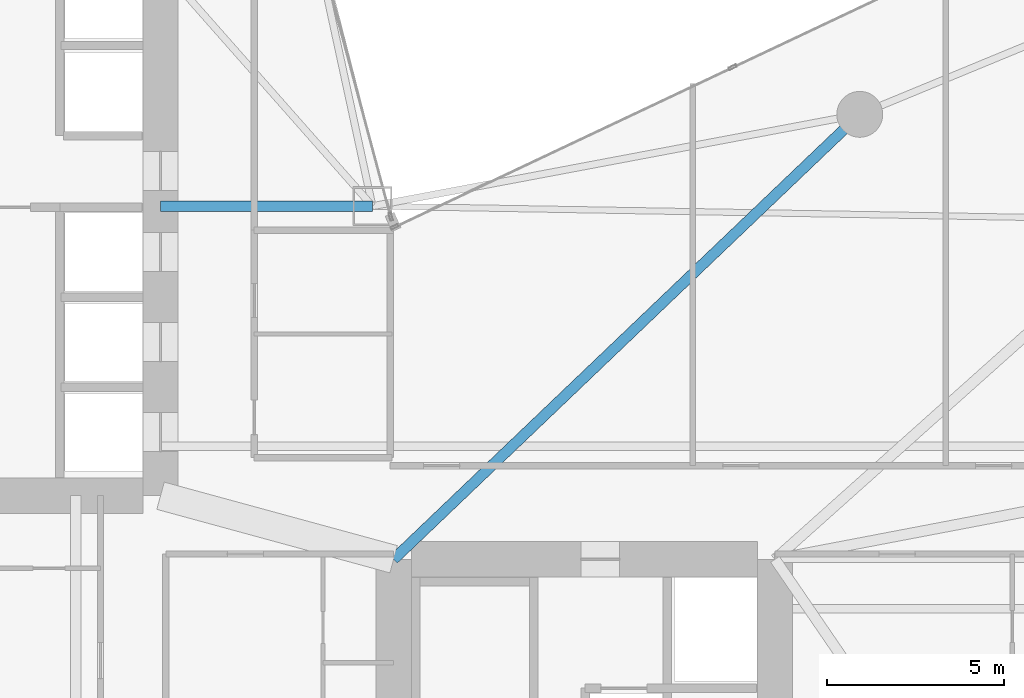
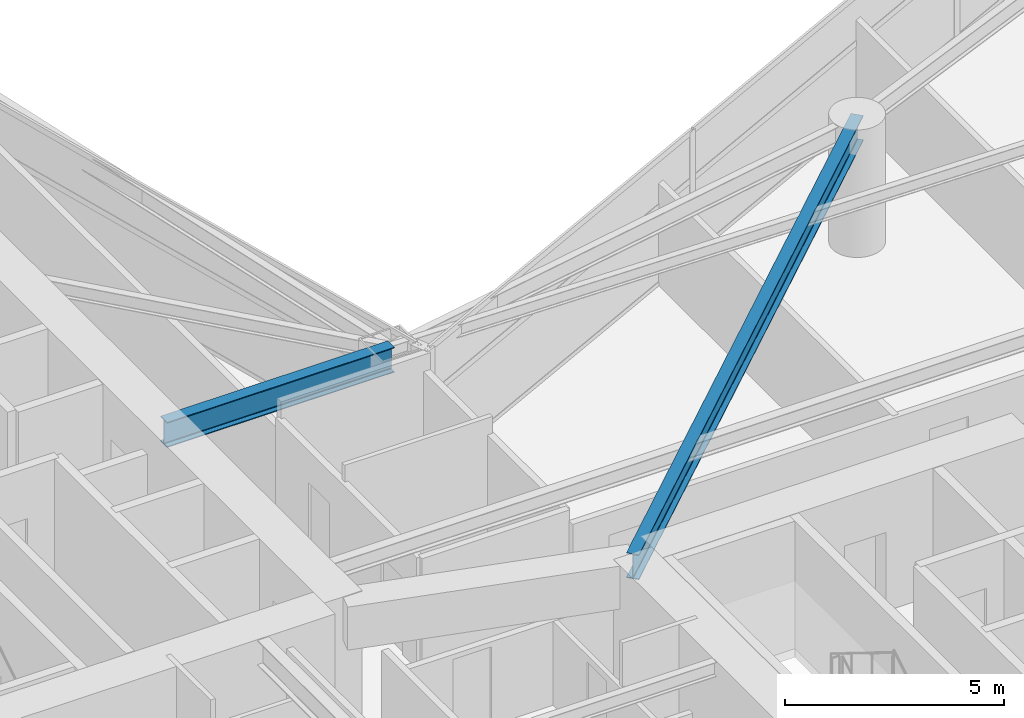
# One storey, part 9 of 29: 2 beams.
"""IFC4 building model written with IfcOpenShell, lengths in metres."""

import ifcopenshell
import ifcopenshell.guid

model = None  # the IFC model being written
_history = None  # IfcOwnerHistory: only IFC2X3 demands one
_inside = {}  # id of a spatial element -> (the spatial element, [elements in it])
_under = {}  # id of a project, library or spatial element -> (it, [spatial elements below it])
_declared = {}  # id of a project -> (the project, [libraries it declares])
_typed = {}  # id of a type object -> (the type object, [elements of that type])
_made_of = {}  # id of a material, layer set ... -> (it, [elements and type objects made of it])


def new_model(schema):
    """Start an empty IFC model of exactly this schema.

    Asked for "IFC4X3", IfcOpenShell would pick the latest addendum, in which some entities
    have other attributes; the version numbers below select the first issue.
    IFC2X3 requires an IfcOwnerHistory on every rooted entity: one is made here for all.
    """
    global model, _history
    if schema == "IFC4X3":
        model = ifcopenshell.file(schema_version=(4, 3, 0, 0))
    else:
        model = ifcopenshell.file(schema=schema)
    _inside.clear()
    _under.clear()
    _declared.clear()
    _typed.clear()
    _made_of.clear()
    _history = None
    if model.schema == "IFC2X3":
        org = make("IfcOrganization", Name="unknown")
        user = make(
            "IfcPersonAndOrganization",
            ThePerson=make("IfcPerson", FamilyName="unknown"),
            TheOrganization=org,
        )
        app = make(
            "IfcApplication",
            ApplicationDeveloper=org,
            Version="unknown",
            ApplicationFullName="unknown",
            ApplicationIdentifier="unknown",
        )
        _history = make(
            "IfcOwnerHistory",
            OwningUser=user,
            OwningApplication=app,
            ChangeAction="ADDED",
            CreationDate=0,
        )
    return model


def make(cls, **values):
    """One entity of the class cls with the attributes given. An attribute that is None is left unset."""
    return model.create_entity(
        cls, **{name: value for name, value in values.items() if value is not None}
    )


def rooted(cls, **values):
    """An entity with a GlobalId (a new one), such as an element, a storey or a relation."""
    return make(cls, GlobalId=ifcopenshell.guid.new(), OwnerHistory=_history, **values)


def si_unit(unit_type, name, prefix=None):
    """IfcSIUnit, for example si_unit("LENGTHUNIT", "METRE", prefix="MILLI")."""
    return make("IfcSIUnit", UnitType=unit_type, Prefix=prefix, Name=name)


def assignment(units):
    """IfcUnitAssignment: the units of a project."""
    return None if units is None else make("IfcUnitAssignment", Units=units)


def point(xyz):
    """IfcCartesianPoint."""
    return None if xyz is None else make("IfcCartesianPoint", Coordinates=xyz)


def direction(xyz):
    """IfcDirection."""
    return None if xyz is None else make("IfcDirection", DirectionRatios=xyz)


def frame(location, z_axis=None, x_axis=None):
    """IfcAxis2Placement3D, a coordinate frame: its origin and axes. An axis left out is left unset."""
    return make(
        "IfcAxis2Placement3D",
        Location=point(location),
        Axis=direction(z_axis),
        RefDirection=direction(x_axis),
    )


def frame_2d(location, x_axis=None):
    """IfcAxis2Placement2D, a coordinate frame in the plane: its origin and x axis."""
    return make(
        "IfcAxis2Placement2D", Location=point(location), RefDirection=direction(x_axis)
    )


def origin():
    """The frame at (0, 0, 0) with its axes left unset."""
    return frame((0.0, 0.0, 0.0))


def origin_2d():
    """The frame at (0, 0) in the plane with its x axis left unset."""
    return frame_2d((0.0, 0.0))


def place(relative_to, where):
    """IfcLocalPlacement: puts the frame where relative to a parent placement (None: the world)."""
    return make(
        "IfcLocalPlacement", PlacementRelTo=relative_to, RelativePlacement=where
    )


def context(
    kind, dimensions, precision=None, world=None, true_north=None, identifier=None
):
    """IfcGeometricRepresentationContext, for example the 3D "Model" context."""
    return make(
        "IfcGeometricRepresentationContext",
        ContextIdentifier=identifier,
        ContextType=kind,
        CoordinateSpaceDimension=dimensions,
        Precision=precision,
        WorldCoordinateSystem=world,
        TrueNorth=true_north,
    )


def subcontext(parent, identifier, kind, view, scale=None):
    """IfcGeometricRepresentationSubContext, for example "Body" below "Model"."""
    return make(
        "IfcGeometricRepresentationSubContext",
        ContextIdentifier=identifier,
        ContextType=kind,
        ParentContext=parent,
        TargetScale=scale,
        TargetView=view,
    )


def project(units=None, contexts=None):
    """IfcProject with its units and contexts."""
    return rooted(
        "IfcProject",
        Name="project",
        RepresentationContexts=contexts,
        UnitsInContext=assignment(units),
    )


def spatial(cls, under=None, at=None, **own):
    """A site, building, storey or space (cls), placed at a placement, below another one or the project."""
    s = rooted(cls, ObjectPlacement=at, **own)
    if under is not None:
        _under.setdefault(under.id(), (under, []))[1].append(s)
    return s


def profile(cls, at=None, kind="AREA", **sizes):
    """A parametric profile (cls). Its sizes go by their IFC names, for example OverallWidth=200.0."""
    return make(cls, ProfileType=kind, Position=at, **sizes)


def i_section(**sizes):
    """IfcIShapeProfileDef."""
    return profile("IfcIShapeProfileDef", **sizes)


def extrude(swept, where, along, depth):
    """IfcExtrudedAreaSolid: the profile swept, set in the frame where, extruded along a direction by depth."""
    return make(
        "IfcExtrudedAreaSolid",
        SweptArea=swept,
        Position=where,
        ExtrudedDirection=direction(along),
        Depth=depth,
    )


def shape(context_of_items, identifier, shape_type, items):
    """IfcShapeRepresentation: the items that make up one representation, for example the "Body"."""
    return make(
        "IfcShapeRepresentation",
        ContextOfItems=context_of_items,
        RepresentationIdentifier=identifier,
        RepresentationType=shape_type,
        Items=items,
    )


def material(Name=None, Category=None):
    """IfcMaterial."""
    return make("IfcMaterial", Name=Name, Category=Category)


def material_profile(
    of_material, cross_section, Name=None, Category=None, Priority=None
):
    """IfcMaterialProfile: a cross section and its material."""
    return make(
        "IfcMaterialProfile",
        Name=Name,
        Material=of_material,
        Profile=cross_section,
        Priority=Priority,
        Category=Category,
    )


def profile_set(profiles, Name=None, composite=None):
    """IfcMaterialProfileSet."""
    return make(
        "IfcMaterialProfileSet",
        Name=Name,
        MaterialProfiles=profiles,
        CompositeProfile=composite,
    )


def made_of(thing, what):
    """Note that an element or type object is made of a material, layer set ...; save() writes the relation."""
    if what is not None:
        _made_of.setdefault(what.id(), (what, []))[1].append(thing)
    return thing


def type_object(cls, material=None, **own):
    """A type object (cls), such as IfcWallType, which elements share."""
    return made_of(rooted(cls, **own), material)


def element(
    cls,
    number,
    at=None,
    inside=None,
    cuts=None,
    type_object=None,
    material=None,
    context=None,
    identifier="Body",
    shape_type=None,
    held_by="IfcProductDefinitionShape",
    body=None,
    shapes=None,
    **own,
):
    """One element of the class cls, such as IfcWall. Its Tag is "e" and its number.

    at: its placement. inside: the storey or other place that contains it. cuts: it is an
    opening in that element (IfcRelVoidsElement). A single representation is given by context,
    identifier, shape_type and body (its items); several are given by shapes. held_by: the class
    of the entity that holds the representations. save() writes the other relations.
    """
    e = rooted(cls, Tag="e%d" % number, ObjectPlacement=at, **own)
    if body is not None:
        shapes = [shape(context, identifier, shape_type, body)]
    if shapes is not None:
        e.Representation = make(held_by, Representations=shapes)
    if inside is not None:
        _inside.setdefault(inside.id(), (inside, []))[1].append(e)
    if cuts is not None:
        rooted(
            "IfcRelVoidsElement", RelatingBuildingElement=cuts, RelatedOpeningElement=e
        )
    if type_object is not None:
        _typed.setdefault(type_object.id(), (type_object, []))[1].append(e)
    return made_of(e, material)


def aggregate(whole, parts):
    """IfcRelAggregates: a whole, such as a stair, and the parts it consists of."""
    return rooted("IfcRelAggregates", RelatingObject=whole, RelatedObjects=parts)


def save(model, path):
    """Write the relations noted so far, then the file.

    IfcRelAggregates (storeys below a building ...), IfcRelContainedInSpatialStructure (elements
    in a storey), IfcRelDefinesByType, IfcRelAssociatesMaterial and IfcRelDeclares: one each for
    every whole, place, type object, material and project.
    """
    for whole, parts in _under.values():
        aggregate(whole, parts)
    for where, things in _inside.values():
        rooted(
            "IfcRelContainedInSpatialStructure",
            RelatedElements=things,
            RelatingStructure=where,
        )
    for kind, things in _typed.values():
        rooted("IfcRelDefinesByType", RelatedObjects=things, RelatingType=kind)
    for what, things in _made_of.values():
        rooted("IfcRelAssociatesMaterial", RelatedObjects=things, RelatingMaterial=what)
    for by, libraries in _declared.values():
        rooted("IfcRelDeclares", RelatingContext=by, RelatedDefinitions=libraries)
    model.write(path)


model = new_model("IFC4")

# Units and contexts
model_context = context("Model", 3, precision=1e-05, world=origin(), true_north=direction((0.0, 1.0)))
body_context = subcontext(model_context, "Body", "Model", "MODEL_VIEW")
ifc_project = project(units=[si_unit("LENGTHUNIT", "METRE"), si_unit("AREAUNIT", "SQUARE_METRE"), si_unit("VOLUMEUNIT", "CUBIC_METRE"), si_unit("PLANEANGLEUNIT", "RADIAN"), si_unit("MASSUNIT", "GRAM", prefix="KILO")], contexts=[model_context])

# Site, building, storey
site_placement = place(None, origin())
site = spatial("IfcSite", under=ifc_project, at=site_placement, CompositionType="ELEMENT")
building_placement = place(site_placement, origin())
building = spatial("IfcBuilding", under=site, at=building_placement, Name="Calvorn Quay Hotel", CompositionType="ELEMENT")
storey_placement = place(building_placement, frame((0.0, 0.0, 34.60009765625)))
storey = spatial("IfcBuildingStorey", under=building, at=storey_placement, Name="L07", CompositionType="ELEMENT", Elevation=34.60009765625)

# Beams
ifc_material = material(Name="Steel Q390GJC", Category="steel")
ifc_material_profile = material_profile(ifc_material, i_section(OverallWidth=0.300048828125, OverallDepth=0.699951171875, WebThickness=0.012939453125, FlangeThickness=0.02392578125, FilletRadius=0.02392578125, at=origin_2d()), Name="HN700x300x13x24")
ifc_profile_set = profile_set([ifc_material_profile], Name="Steel Q390GJC")
beam_type = type_object("IfcBeamType", Name="BM-GIRD-MAIN", PredefinedType="BEAM", material=ifc_profile_set)
beam_1_placement = place(storey_placement, frame((21.0, 25.0, 3.18994140625), z_axis=(-1.0, 0.0, 0.0), x_axis=(0.0, -1.0, 0.0)))
element("IfcBeam", 1, at=beam_1_placement, inside=storey, type_object=beam_type, Name="Beam BG-L07-W7", PredefinedType="BEAM", context=body_context, shape_type="SweptSolid", body=[
    extrude(i_section(OverallWidth=0.300048828125, OverallDepth=0.699951171875, WebThickness=0.012939453125, FlangeThickness=0.02392578125, FilletRadius=0.02392578125, at=origin_2d()), origin(), (0.0, 0.0, 1.0), 6.0),
])
beam_2_placement = place(storey_placement, frame((21.60009765625, 15.0, 3.18994140625), z_axis=(0.723351595578, 0.690479883252, 0.0), x_axis=(-0.690479883252, 0.723351595578, 0.0)))
element("IfcBeam", 2, at=beam_2_placement, inside=storey, type_object=beam_type, Name="Beam BG-L07-E4", PredefinedType="BEAM", context=body_context, shape_type="SweptSolid", body=[
    extrude(i_section(OverallWidth=0.300048828125, OverallDepth=0.699951171875, WebThickness=0.012939453125, FlangeThickness=0.02392578125, FilletRadius=0.02392578125, at=origin_2d()), origin(), (0.0, 0.0, 1.0), 18.248291015625),
])

save(model, "model.ifc")
